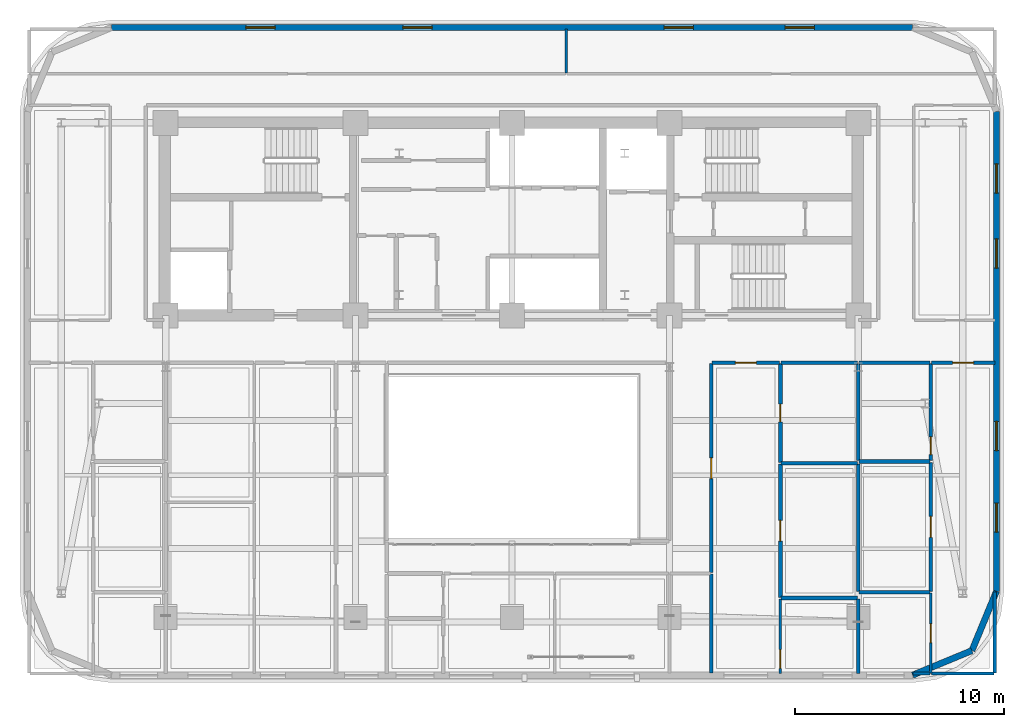
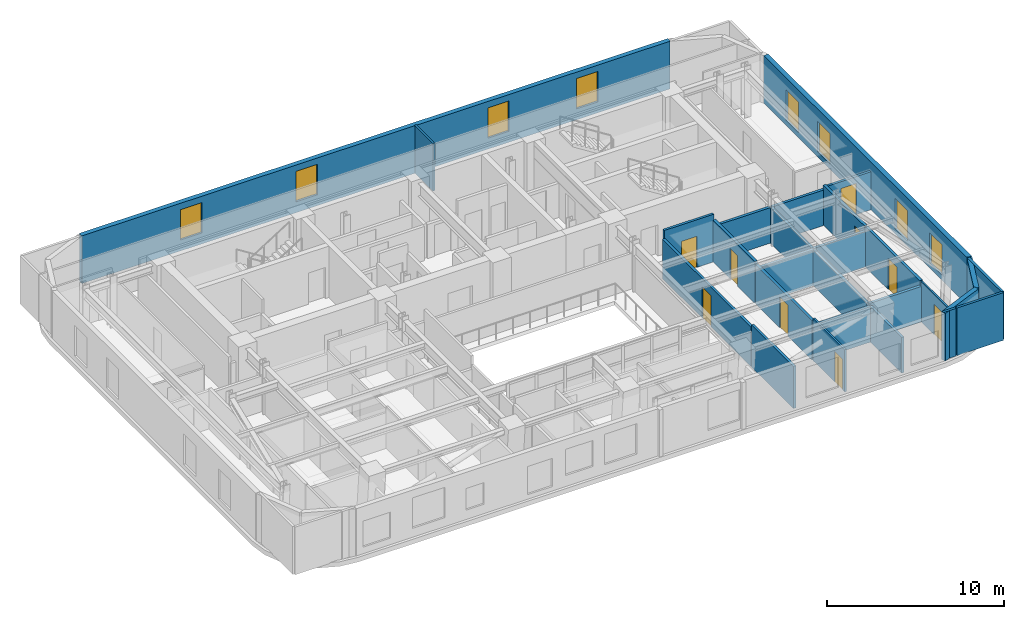
# One storey, part 9 of 13: 27 walls, 9 doors, 8 windows, 17 openings.
"""IFC4 building model written with IfcOpenShell, lengths in metres."""

from ifc_helpers import new_model, si_unit, direction, frame, frame_2d, origin, place, context, subcontext, project, spatial, rectangle, extrude, material, layer, layer_set, type_object, element, fill, save


model = new_model("IFC4")

# Units and contexts
model_context = context("Model", 3, precision=1e-05, world=origin(), true_north=direction((0.0, 1.0)))
body_context = subcontext(model_context, "Body", "Model", "MODEL_VIEW")
ifc_project = project(units=[si_unit("LENGTHUNIT", "METRE"), si_unit("AREAUNIT", "SQUARE_METRE"), si_unit("VOLUMEUNIT", "CUBIC_METRE"), si_unit("PLANEANGLEUNIT", "RADIAN"), si_unit("MASSUNIT", "GRAM", prefix="KILO")], contexts=[model_context])

# Site, building, storey
site_placement = place(None, origin())
site = spatial("IfcSite", under=ifc_project, at=site_placement, CompositionType="ELEMENT")
building_placement = place(site_placement, origin())
building = spatial("IfcBuilding", under=site, at=building_placement, Name="Zarnavel Station Tower", CompositionType="ELEMENT")
storey_placement = place(building_placement, frame((0.0, 0.0, 141.25)))
storey = spatial("IfcBuildingStorey", under=building, at=storey_placement, Name="L38", CompositionType="ELEMENT", Elevation=141.25)

# Walls
ifc_material_1 = material(Name="Precast concrete C45/55 (Dark Basalt Finish)", Category="masonry")
ifc_layer_1 = layer(ifc_material_1, 0.300048828125)
ifc_layer_set_1 = layer_set([ifc_layer_1], Name="EW_BASALT_300")
wall_type_1 = type_object("IfcWallType", Name="EW_BASALT_300", PredefinedType="SOLIDWALL", material=ifc_layer_set_1)
wall_1_placement = place(storey_placement, frame((50.842529296875, 11.75732421875, 0.0), z_axis=(0.0, 0.0, 1.0), x_axis=(-0.92389884758, -0.382636798336, 0.0)))
element("IfcWall", 1, at=wall_1_placement, inside=storey, type_object=wall_type_1, Name="L38 Exterior Basalt Masonry Frame Wall 01", PredefinedType="SOLIDWALL", context=body_context, shape_type="SweptSolid", body=[
    extrude(rectangle(XDim=3.07666015625, YDim=0.300048828125, at=frame_2d((1.538330078125, 0.0))), origin(), (0.0, 0.0, 1.0), 3.2900390625),
])
wall_2_placement = place(storey_placement, frame((52.02001953125, 14.60009765625, 0.0), z_axis=(0.0, 0.0, 1.0), x_axis=(-0.382676475685, -0.923882414032, 0.0)))
element("IfcWall", 2, at=wall_2_placement, inside=storey, type_object=wall_type_1, Name="L38 Exterior Basalt Masonry Frame Wall 02", PredefinedType="SOLIDWALL", context=body_context, shape_type="SweptSolid", body=[
    extrude(rectangle(XDim=3.076904296875, YDim=0.300048828125, at=frame_2d((1.53857421875, 0.0))), origin(), (0.0, 0.0, 1.0), 3.2900390625),
])

# Wall, openings, windows
wall_3_placement = place(storey_placement, frame((52.02001953125, 37.60009765625, 0.0), z_axis=(0.0, 0.0, 1.0), x_axis=(0.0, -1.0, 0.0)))
wall_3 = element("IfcWall", 3, at=wall_3_placement, inside=storey, type_object=wall_type_1, Name="L38 Exterior Basalt Masonry Frame Wall 03", PredefinedType="SOLIDWALL", context=body_context, shape_type="SweptSolid", body=[
    extrude(rectangle(XDim=23.0, YDim=0.300048828125, at=frame_2d((11.5, 0.0))), origin(), (0.0, 0.0, 1.0), 3.2900390625),
])
opening_1_placement = place(wall_3_placement, frame((2.51318359375, 0.0, 0.340087890625)))
opening_1 = element("IfcOpeningElement", 4, at=opening_1_placement, cuts=wall_3, Name="Opening WN04", PredefinedType="OPENING", context=body_context, shape_type="SweptSolid", body=[
    extrude(rectangle(XDim=1.39990234375, YDim=2.10009765625, at=frame_2d((0.699951171875, 1.050048828125))), frame((0.0, 0.159912109375, 0.0), z_axis=(0.0, -1.0, 0.0), x_axis=(1.0, 0.0, 0.0)), (0.0, 0.0, 1.0), 0.320068359375),
])
opening_2_placement = place(wall_3_placement, frame((6.106689453125, 0.0, 0.340087890625)))
opening_2 = element("IfcOpeningElement", 5, at=opening_2_placement, cuts=wall_3, Name="Opening WN04", PredefinedType="OPENING", context=body_context, shape_type="SweptSolid", body=[
    extrude(rectangle(XDim=1.39990234375, YDim=2.10009765625, at=frame_2d((0.699951171875, 1.050048828125))), frame((0.0, 0.159912109375, 0.0), z_axis=(0.0, -1.0, 0.0), x_axis=(1.0, 0.0, 0.0)), (0.0, 0.0, 1.0), 0.320068359375),
])
opening_3_placement = place(wall_3_placement, frame((14.860107421875, 0.0, 0.340087890625)))
opening_3 = element("IfcOpeningElement", 6, at=opening_3_placement, cuts=wall_3, Name="Opening WN04", PredefinedType="OPENING", context=body_context, shape_type="SweptSolid", body=[
    extrude(rectangle(XDim=1.39990234375, YDim=2.10009765625, at=frame_2d((0.699951171875, 1.050048828125))), frame((0.0, 0.159912109375, 0.0), z_axis=(0.0, -1.0, 0.0), x_axis=(1.0, 0.0, 0.0)), (0.0, 0.0, 1.0), 0.320068359375),
])
opening_4_placement = place(wall_3_placement, frame((18.77001953125, 0.0, 0.340087890625)))
opening_4 = element("IfcOpeningElement", 7, at=opening_4_placement, cuts=wall_3, Name="Opening WN04", PredefinedType="OPENING", context=body_context, shape_type="SweptSolid", body=[
    extrude(rectangle(XDim=1.39990234375, YDim=2.10009765625, at=frame_2d((0.699951171875, 1.050048828125))), frame((0.0, 0.159912109375, 0.0), z_axis=(0.0, -1.0, 0.0), x_axis=(1.0, 0.0, 0.0)), (0.0, 0.0, 1.0), 0.320068359375),
])
ifc_material_2 = material(Name="Thermally Broken Black Aluminium and Low-E Dark Glass", Category="aluminium")
window_type = type_object("IfcWindowType", Name="WN_1400x2100", PartitioningType="DOUBLE_PANEL_VERTICAL", PredefinedType="WINDOW", material=ifc_material_2)
window_1_placement = place(opening_1_placement, origin())
window_1 = element("IfcWindow", 8, at=window_1_placement, inside=storey, type_object=window_type, Name="L38 Recessed Facade Window 01", OverallHeight=2.10009765625, OverallWidth=1.39990234375, PartitioningType="SINGLE_PANEL", PredefinedType="WINDOW", context=body_context, shape_type="SweptSolid", body=[
    extrude(rectangle(XDim=1.39990234375, YDim=2.10009765625, at=frame_2d((0.699951171875, 1.050048828125))), frame((0.0, 0.030029296875, 0.0), z_axis=(0.0, -1.0, 0.0), x_axis=(1.0, 0.0, 0.0)), (0.0, 0.0, 1.0), 0.06005859375),
])
fill(opening_1, window_1)
window_2_placement = place(opening_2_placement, origin())
window_2 = element("IfcWindow", 9, at=window_2_placement, inside=storey, type_object=window_type, Name="L38 Recessed Facade Window 02", OverallHeight=2.10009765625, OverallWidth=1.39990234375, PartitioningType="SINGLE_PANEL", PredefinedType="WINDOW", context=body_context, shape_type="SweptSolid", body=[
    extrude(rectangle(XDim=1.39990234375, YDim=2.10009765625, at=frame_2d((0.699951171875, 1.050048828125))), frame((0.0, 0.030029296875, 0.0), z_axis=(0.0, -1.0, 0.0), x_axis=(1.0, 0.0, 0.0)), (0.0, 0.0, 1.0), 0.06005859375),
])
fill(opening_2, window_2)
window_3_placement = place(opening_3_placement, origin())
window_3 = element("IfcWindow", 10, at=window_3_placement, inside=storey, type_object=window_type, Name="L38 Recessed Facade Window 03", OverallHeight=2.10009765625, OverallWidth=1.39990234375, PartitioningType="SINGLE_PANEL", PredefinedType="WINDOW", context=body_context, shape_type="SweptSolid", body=[
    extrude(rectangle(XDim=1.39990234375, YDim=2.10009765625, at=frame_2d((0.699951171875, 1.050048828125))), frame((0.0, 0.030029296875, 0.0), z_axis=(0.0, -1.0, 0.0), x_axis=(1.0, 0.0, 0.0)), (0.0, 0.0, 1.0), 0.06005859375),
])
fill(opening_3, window_3)
window_4_placement = place(opening_4_placement, origin())
window_4 = element("IfcWindow", 11, at=window_4_placement, inside=storey, type_object=window_type, Name="L38 Recessed Facade Window 04", OverallHeight=2.10009765625, OverallWidth=1.39990234375, PartitioningType="SINGLE_PANEL", PredefinedType="WINDOW", context=body_context, shape_type="SweptSolid", body=[
    extrude(rectangle(XDim=1.39990234375, YDim=2.10009765625, at=frame_2d((0.699951171875, 1.050048828125))), frame((0.0, 0.030029296875, 0.0), z_axis=(0.0, -1.0, 0.0), x_axis=(1.0, 0.0, 0.0)), (0.0, 0.0, 1.0), 0.06005859375),
])
fill(opening_4, window_4)

wall_4_placement = place(storey_placement, frame((9.60009765625, 41.6201171875, 0.0), z_axis=(0.0, 0.0, 1.0), x_axis=(1.0, 0.0, 0.0)))
wall_4 = element("IfcWall", 12, at=wall_4_placement, inside=storey, type_object=wall_type_1, Name="L38 Exterior Basalt Masonry Frame Wall 06", PredefinedType="SOLIDWALL", context=body_context, shape_type="SweptSolid", body=[
    extrude(rectangle(XDim=38.39990234375, YDim=0.300048828125, at=frame_2d((19.199951171875, 0.0))), origin(), (0.0, 0.0, 1.0), 3.2900390625),
])
opening_5_placement = place(wall_4_placement, frame((6.44677734375, 0.0, 0.75)))
opening_5 = element("IfcOpeningElement", 13, at=opening_5_placement, cuts=wall_4, Name="Opening WN04", PredefinedType="OPENING", context=body_context, shape_type="SweptSolid", body=[
    extrude(rectangle(XDim=1.39990234375, YDim=2.10009765625, at=frame_2d((0.699951171875, 1.050048828125))), frame((0.0, 0.159912109375, 0.0), z_axis=(0.0, -1.0, 0.0), x_axis=(1.0, 0.0, 0.0)), (0.0, 0.0, 1.0), 0.320068359375),
])
opening_6_placement = place(wall_4_placement, frame((13.973388671875, 0.0, 0.75)))
opening_6 = element("IfcOpeningElement", 14, at=opening_6_placement, cuts=wall_4, Name="Opening WN04", PredefinedType="OPENING", context=body_context, shape_type="SweptSolid", body=[
    extrude(rectangle(XDim=1.39990234375, YDim=2.10009765625, at=frame_2d((0.699951171875, 1.050048828125))), frame((0.0, 0.159912109375, 0.0), z_axis=(0.0, -1.0, 0.0), x_axis=(1.0, 0.0, 0.0)), (0.0, 0.0, 1.0), 0.320068359375),
])
opening_7_placement = place(wall_4_placement, frame((26.493408203125, 0.0, 0.75)))
opening_7 = element("IfcOpeningElement", 15, at=opening_7_placement, cuts=wall_4, Name="Opening WN04", PredefinedType="OPENING", context=body_context, shape_type="SweptSolid", body=[
    extrude(rectangle(XDim=1.39990234375, YDim=2.10009765625, at=frame_2d((0.699951171875, 1.050048828125))), frame((0.0, 0.159912109375, 0.0), z_axis=(0.0, -1.0, 0.0), x_axis=(1.0, 0.0, 0.0)), (0.0, 0.0, 1.0), 0.320068359375),
])
opening_8_placement = place(wall_4_placement, frame((32.28662109375, 0.0, 0.75)))
opening_8 = element("IfcOpeningElement", 16, at=opening_8_placement, cuts=wall_4, Name="Opening WN04", PredefinedType="OPENING", context=body_context, shape_type="SweptSolid", body=[
    extrude(rectangle(XDim=1.39990234375, YDim=2.10009765625, at=frame_2d((0.699951171875, 1.050048828125))), frame((0.0, 0.159912109375, 0.0), z_axis=(0.0, -1.0, 0.0), x_axis=(1.0, 0.0, 0.0)), (0.0, 0.0, 1.0), 0.320068359375),
])
window_5_placement = place(opening_5_placement, origin())
window_5 = element("IfcWindow", 17, at=window_5_placement, inside=storey, type_object=window_type, Name="L38 Recessed Facade Window 01", OverallHeight=2.10009765625, OverallWidth=1.39990234375, PartitioningType="SINGLE_PANEL", PredefinedType="WINDOW", context=body_context, shape_type="SweptSolid", body=[
    extrude(rectangle(XDim=1.39990234375, YDim=2.10009765625, at=frame_2d((0.699951171875, 1.050048828125))), frame((0.0, 0.030029296875, 0.0), z_axis=(0.0, -1.0, 0.0), x_axis=(1.0, 0.0, 0.0)), (0.0, 0.0, 1.0), 0.06005859375),
])
fill(opening_5, window_5)
window_6_placement = place(opening_6_placement, origin())
window_6 = element("IfcWindow", 18, at=window_6_placement, inside=storey, type_object=window_type, Name="L38 Recessed Facade Window 02", OverallHeight=2.10009765625, OverallWidth=1.39990234375, PartitioningType="SINGLE_PANEL", PredefinedType="WINDOW", context=body_context, shape_type="SweptSolid", body=[
    extrude(rectangle(XDim=1.39990234375, YDim=2.10009765625, at=frame_2d((0.699951171875, 1.050048828125))), frame((0.0, 0.030029296875, 0.0), z_axis=(0.0, -1.0, 0.0), x_axis=(1.0, 0.0, 0.0)), (0.0, 0.0, 1.0), 0.06005859375),
])
fill(opening_6, window_6)
window_7_placement = place(opening_7_placement, origin())
window_7 = element("IfcWindow", 19, at=window_7_placement, inside=storey, type_object=window_type, Name="L38 Recessed Facade Window 03", OverallHeight=2.10009765625, OverallWidth=1.39990234375, PartitioningType="SINGLE_PANEL", PredefinedType="WINDOW", context=body_context, shape_type="SweptSolid", body=[
    extrude(rectangle(XDim=1.39990234375, YDim=2.10009765625, at=frame_2d((0.699951171875, 1.050048828125))), frame((0.0, 0.030029296875, 0.0), z_axis=(0.0, -1.0, 0.0), x_axis=(1.0, 0.0, 0.0)), (0.0, 0.0, 1.0), 0.06005859375),
])
fill(opening_7, window_7)
window_8_placement = place(opening_8_placement, origin())
window_8 = element("IfcWindow", 20, at=window_8_placement, inside=storey, type_object=window_type, Name="L38 Recessed Facade Window 04", OverallHeight=2.10009765625, OverallWidth=1.39990234375, PartitioningType="SINGLE_PANEL", PredefinedType="WINDOW", context=body_context, shape_type="SweptSolid", body=[
    extrude(rectangle(XDim=1.39990234375, YDim=2.10009765625, at=frame_2d((0.699951171875, 1.050048828125))), frame((0.0, 0.030029296875, 0.0), z_axis=(0.0, -1.0, 0.0), x_axis=(1.0, 0.0, 0.0)), (0.0, 0.0, 1.0), 0.06005859375),
])
fill(opening_8, window_8)

# Wall, opening, door
ifc_material_3 = material(Name="Gypsum Twin-Stud Acoustic Fire Partition", Category="concrete")
ifc_layer_2 = layer(ifc_material_3, 0.159912109375)
ifc_layer_set_2 = layer_set([ifc_layer_2], Name="PT_DEMISE_160")
wall_type_2 = type_object("IfcWallType", Name="PT_DEMISE_160", PredefinedType="PARTITIONING", material=ifc_layer_set_2)
wall_5_placement = place(storey_placement, frame((38.389892578125, 25.550048828125, 0.0), z_axis=(0.0, 0.0, 1.0), x_axis=(1.0, 0.0, 0.0)))
wall_5 = element("IfcWall", 21, at=wall_5_placement, inside=storey, type_object=wall_type_2, Name="L38 Partition COR-S-UE1LV", PredefinedType="PARTITIONING", context=body_context, shape_type="SweptSolid", body=[
    extrude(rectangle(XDim=3.233154296875, YDim=0.159912109375, at=frame_2d((1.61669921875, 0.0))), origin(), (0.0, 0.0, 1.0), 3.2900390625),
])
opening_9_placement = place(wall_5_placement, frame((1.116455078125, 0.0, 0.0)))
opening_9 = element("IfcOpeningElement", 22, at=opening_9_placement, cuts=wall_5, Name="Opening FD02", PredefinedType="OPENING", context=body_context, shape_type="SweptSolid", body=[
    extrude(rectangle(XDim=1.0, YDim=2.14990234375, at=frame_2d((0.5, 1.074951171875))), frame((0.0, 0.08984375, 0.0), z_axis=(0.0, -1.0, 0.0), x_axis=(1.0, 0.0, 0.0)), (0.0, 0.0, 1.0), 0.179931640625),
])
ifc_material_4 = material(Name="Painted Galvanised Steel and Hardwood Leaf", Category="steel")
door_type_1 = type_object("IfcDoorType", Name="ID_ENTRY_1000", OperationType="NOTDEFINED", PredefinedType="DOOR", material=ifc_material_4)
door_1_placement = place(opening_9_placement, origin())
door_1 = element("IfcDoor", 23, at=door_1_placement, inside=storey, type_object=door_type_1, Name="L38 Door COR-S-UE1LV", OperationType="SINGLE_SWING_LEFT", OverallHeight=2.14990234375, OverallWidth=1.0, PredefinedType="DOOR", context=body_context, shape_type="SweptSolid", body=[
    extrude(rectangle(XDim=1.0, YDim=2.14990234375, at=frame_2d((0.5, 1.074951171875))), frame((0.0, 0.02490234375, 0.0), z_axis=(0.0, -1.0, 0.0), x_axis=(1.0, 0.0, 0.0)), (0.0, 0.0, 1.0), 0.050048828125),
])
fill(opening_9, door_1)

wall_6_placement = place(storey_placement, frame((48.906005859375, 25.550048828125, 0.0), z_axis=(0.0, 0.0, 1.0), x_axis=(1.0, 0.0, 0.0)))
wall_6 = element("IfcWall", 24, at=wall_6_placement, inside=storey, type_object=wall_type_2, Name="L38 Partition COR-S-UE2LV", PredefinedType="PARTITIONING", context=body_context, shape_type="SweptSolid", body=[
    extrude(rectangle(XDim=3.033935546875, YDim=0.159912109375, at=frame_2d((1.51708984375, 0.0))), origin(), (0.0, 0.0, 1.0), 2.6201171875),
])
opening_10_placement = place(wall_6_placement, frame((1.01708984375, 0.0, 0.0)))
opening_10 = element("IfcOpeningElement", 25, at=opening_10_placement, cuts=wall_6, Name="Opening FD02", PredefinedType="OPENING", context=body_context, shape_type="SweptSolid", body=[
    extrude(rectangle(XDim=1.0, YDim=2.14990234375, at=frame_2d((0.5, 1.074951171875))), frame((0.0, 0.08984375, 0.0), z_axis=(0.0, -1.0, 0.0), x_axis=(1.0, 0.0, 0.0)), (0.0, 0.0, 1.0), 0.179931640625),
])
door_2_placement = place(opening_10_placement, origin())
door_2 = element("IfcDoor", 26, at=door_2_placement, inside=storey, type_object=door_type_1, Name="L38 Door COR-S-UE2LV", OperationType="SINGLE_SWING_RIGHT", OverallHeight=2.14990234375, OverallWidth=1.0, PredefinedType="DOOR", context=body_context, shape_type="SweptSolid", body=[
    extrude(rectangle(XDim=1.0, YDim=2.14990234375, at=frame_2d((0.5, 1.074951171875))), frame((0.0, 0.02490234375, 0.0), z_axis=(0.0, -1.0, 0.0), x_axis=(1.0, 0.0, 0.0)), (0.0, 0.0, 1.0), 0.050048828125),
])
fill(opening_10, door_2)

wall_7_placement = place(storey_placement, frame((38.35009765625, 15.489990234375, 0.0), z_axis=(0.0, 0.0, 1.0), x_axis=(0.0, 1.0, 0.0)))
wall_7 = element("IfcWall", 27, at=wall_7_placement, inside=storey, type_object=wall_type_2, Name="L38 Partition COR-AE-UE1LV", PredefinedType="PARTITIONING", context=body_context, shape_type="SweptSolid", body=[
    extrude(rectangle(XDim=10.02001953125, YDim=0.159912109375, at=frame_2d((5.010009765625, 0.0))), origin(), (0.0, 0.0, 1.0), 2.719970703125),
])
opening_11_placement = place(wall_7_placement, frame((4.510009765625, 0.0, 0.0)))
opening_11 = element("IfcOpeningElement", 28, at=opening_11_placement, cuts=wall_7, Name="Opening FD02", PredefinedType="OPENING", context=body_context, shape_type="SweptSolid", body=[
    extrude(rectangle(XDim=1.0, YDim=2.14990234375, at=frame_2d((0.5, 1.074951171875))), frame((0.0, 0.08984375, 0.0), z_axis=(0.0, -1.0, 0.0), x_axis=(1.0, 0.0, 0.0)), (0.0, 0.0, 1.0), 0.179931640625),
])
door_3_placement = place(opening_11_placement, origin())
door_3 = element("IfcDoor", 29, at=door_3_placement, inside=storey, type_object=door_type_1, Name="L38 Door COR-AE-UE1LV", OperationType="SINGLE_SWING_LEFT", OverallHeight=2.14990234375, OverallWidth=1.0, PredefinedType="DOOR", context=body_context, shape_type="SweptSolid", body=[
    extrude(rectangle(XDim=1.0, YDim=2.14990234375, at=frame_2d((0.5, 1.074951171875))), frame((0.0, 0.02490234375, 0.0), z_axis=(0.0, -1.0, 0.0), x_axis=(1.0, 0.0, 0.0)), (0.0, 0.0, 1.0), 0.050048828125),
])
fill(opening_11, door_3)

# Walls
wall_8_placement = place(storey_placement, frame((45.39990234375, 10.659912109375, 0.0), z_axis=(0.0, 0.0, 1.0), x_axis=(0.0, 1.0, 0.0)))
element("IfcWall", 30, at=wall_8_placement, inside=storey, type_object=wall_type_2, Name="L38 Partition UE1B1-UE2B1", PredefinedType="PARTITIONING", context=body_context, shape_type="SweptSolid", body=[
    extrude(rectangle(XDim=3.572998046875, YDim=0.159912109375, at=frame_2d((1.78662109375, 0.0))), origin(), (0.0, 0.0, 1.0), 2.4560546875),
])
wall_9_placement = place(storey_placement, frame((38.35009765625, 10.68994140625, 0.0), z_axis=(0.0, 0.0, 1.0), x_axis=(0.0, 1.0, 0.0)))
element("IfcWall", 31, at=wall_9_placement, inside=storey, type_object=wall_type_2, Name="L38 Enclosure Wall UE1LV", PredefinedType="PARTITIONING", context=body_context, shape_type="SweptSolid", body=[
    extrude(rectangle(XDim=4.72998046875, YDim=0.159912109375, at=frame_2d((2.364990234375, 0.0))), origin(), (0.0, 0.0, 1.0), 2.909912109375),
])
wall_10_placement = place(storey_placement, frame((48.89599609375, 10.659912109375, 0.0), z_axis=(0.0, 0.0, 1.0), x_axis=(1.0, 0.0, 0.0)))
element("IfcWall", 32, at=wall_10_placement, inside=storey, type_object=wall_type_2, Name="L38 Enclosure Wall UE2LV", PredefinedType="PARTITIONING", context=body_context, shape_type="SweptSolid", body=[
    extrude(rectangle(XDim=3.013916015625, YDim=0.159912109375, at=frame_2d((1.5068359375, 0.0))), origin(), (0.0, 0.0, 1.0), 3.2900390625),
])
wall_11_placement = place(storey_placement, frame((51.93994140625, 10.68994140625, 0.0), z_axis=(0.0, 0.0, 1.0), x_axis=(0.0, 1.0, 0.0)))
element("IfcWall", 33, at=wall_11_placement, inside=storey, type_object=wall_type_2, Name="L38 Enclosure Wall UE2LV", PredefinedType="PARTITIONING", context=body_context, shape_type="SweptSolid", body=[
    extrude(rectangle(XDim=3.880126953125, YDim=0.159912109375, at=frame_2d((1.93994140625, 0.0))), origin(), (0.0, 0.0, 1.0), 3.2900390625),
])
wall_12_placement = place(storey_placement, frame((48.030029296875, 10.659912109375, 0.0), z_axis=(0.0, 0.0, 1.0), x_axis=(1.0, 0.0, 0.0)))
element("IfcWall", 34, at=wall_12_placement, inside=storey, type_object=wall_type_2, Name="L38 Enclosure Wall UE2B1", PredefinedType="PARTITIONING", context=body_context, shape_type="SweptSolid", body=[
    extrude(rectangle(XDim=0.805908203125, YDim=0.159912109375, at=frame_2d((0.40283203125, 0.0))), origin(), (0.0, 0.0, 1.0), 3.2900390625),
])
ifc_material_5 = material(Name="Gypsum Metal-Stud Interior Partition", Category="concrete")
ifc_layer_3 = layer(ifc_material_5, 0.1201171875)
ifc_layer_set_3 = layer_set([ifc_layer_3], Name="PT_ROOM_120")
wall_type_3 = type_object("IfcWallType", Name="PT_ROOM_120", PredefinedType="PARTITIONING", material=ifc_layer_set_3)
wall_13_placement = place(storey_placement, frame((31.39990234375, 39.43994140625, 0.0), z_axis=(0.0, 0.0, 1.0), x_axis=(0.0, 1.0, 0.0)))
element("IfcWall", 35, at=wall_13_placement, inside=storey, type_object=wall_type_3, Name="L38 Partition NGYM-NBRD", PredefinedType="PARTITIONING", context=body_context, shape_type="SweptSolid", body=[
    extrude(rectangle(XDim=2.10009765625, YDim=0.1201171875, at=frame_2d((1.050048828125, 0.0))), origin(), (0.0, 0.0, 1.0), 3.2900390625),
])

# Wall, opening, door
wall_14_placement = place(storey_placement, frame((41.6630859375, 10.659912109375, 0.0), z_axis=(0.0, 0.0, 1.0), x_axis=(0.0, 1.0, 0.0)))
wall_14 = element("IfcWall", 36, at=wall_14_placement, inside=storey, type_object=wall_type_3, Name="L38 Partition UE1LV-UE1B1", PredefinedType="PARTITIONING", context=body_context, shape_type="SweptSolid", body=[
    extrude(rectangle(XDim=3.572998046875, YDim=0.1201171875, at=frame_2d((1.78662109375, 0.0))), origin(), (0.0, 0.0, 1.0), 2.909912109375),
])
opening_12_placement = place(wall_14_placement, frame((0.23974609375, 0.0, 0.0)))
opening_12 = element("IfcOpeningElement", 37, at=opening_12_placement, cuts=wall_14, Name="Opening ID01", PredefinedType="OPENING", context=body_context, shape_type="SweptSolid", body=[
    extrude(rectangle(XDim=0.89990234375, YDim=2.10009765625, at=frame_2d((0.449951171875, 1.050048828125))), frame((0.0, 0.070068359375, 0.0), z_axis=(0.0, -1.0, 0.0), x_axis=(1.0, 0.0, 0.0)), (0.0, 0.0, 1.0), 0.14013671875),
])
ifc_material_6 = material(Name="Painted Galvanised Steel and Hardwood Leaf", Category="steel")
door_type_2 = type_object("IfcDoorType", Name="ID_ROOM_900", OperationType="NOTDEFINED", PredefinedType="DOOR", material=ifc_material_6)
door_4_placement = place(opening_12_placement, origin())
door_4 = element("IfcDoor", 38, at=door_4_placement, inside=storey, type_object=door_type_2, Name="L38 Door UE1LV-UE1B1", OperationType="SINGLE_SWING_LEFT", OverallHeight=2.10009765625, OverallWidth=0.89990234375, PredefinedType="DOOR", context=body_context, shape_type="SweptSolid", body=[
    extrude(rectangle(XDim=0.89990234375, YDim=2.10009765625, at=frame_2d((0.449951171875, 1.050048828125))), frame((0.0, 0.02490234375, 0.0), z_axis=(0.0, -1.0, 0.0), x_axis=(1.0, 0.0, 0.0)), (0.0, 0.0, 1.0), 0.050048828125),
])
fill(opening_12, door_4)

wall_15_placement = place(storey_placement, frame((48.865966796875, 10.659912109375, 0.0), z_axis=(0.0, 0.0, 1.0), x_axis=(0.0, 1.0, 0.0)))
wall_15 = element("IfcWall", 39, at=wall_15_placement, inside=storey, type_object=wall_type_3, Name="L38 Partition UE2LV-UE2B1", PredefinedType="PARTITIONING", context=body_context, shape_type="SweptSolid", body=[
    extrude(rectangle(XDim=3.85498046875, YDim=0.1201171875, at=frame_2d((1.927490234375, 0.0))), origin(), (0.0, 0.0, 1.0), 2.77001953125),
])
opening_13_placement = place(wall_15_placement, frame((1.4775390625, 0.0, 0.0)))
opening_13 = element("IfcOpeningElement", 40, at=opening_13_placement, cuts=wall_15, Name="Opening ID01", PredefinedType="OPENING", context=body_context, shape_type="SweptSolid", body=[
    extrude(rectangle(XDim=0.89990234375, YDim=2.10009765625, at=frame_2d((0.449951171875, 1.050048828125))), frame((0.0, 0.070068359375, 0.0), z_axis=(0.0, -1.0, 0.0), x_axis=(1.0, 0.0, 0.0)), (0.0, 0.0, 1.0), 0.14013671875),
])
door_5_placement = place(opening_13_placement, origin())
door_5 = element("IfcDoor", 41, at=door_5_placement, inside=storey, type_object=door_type_2, Name="L38 Door UE2LV-UE2B1", OperationType="SINGLE_SWING_RIGHT", OverallHeight=2.10009765625, OverallWidth=0.89990234375, PredefinedType="DOOR", context=body_context, shape_type="SweptSolid", body=[
    extrude(rectangle(XDim=0.89990234375, YDim=2.10009765625, at=frame_2d((0.449951171875, 1.050048828125))), frame((0.0, 0.02490234375, 0.0), z_axis=(0.0, -1.0, 0.0), x_axis=(1.0, 0.0, 0.0)), (0.0, 0.0, 1.0), 0.050048828125),
])
fill(opening_13, door_5)

# Walls
ifc_material_7 = material(Name="Moisture-Resistant Plumbing Chase Wall", Category="concrete")
ifc_layer_4 = layer(ifc_material_7, 0.179931640625)
ifc_layer_set_4 = layer_set([ifc_layer_4], Name="PW_PLUMB_180")
wall_type_4 = type_object("IfcWallType", Name="PW_PLUMB_180", PredefinedType="PLUMBINGWALL", material=ifc_layer_set_4)
wall_16_placement = place(storey_placement, frame((41.702880859375, 25.550048828125, 0.0), z_axis=(0.0, 0.0, 1.0), x_axis=(1.0, 0.0, 0.0)))
element("IfcWall", 42, at=wall_16_placement, inside=storey, type_object=wall_type_4, Name="L38 Partition COR-S-UE1BA", PredefinedType="PLUMBINGWALL", context=body_context, shape_type="SweptSolid", body=[
    extrude(rectangle(XDim=3.6572265625, YDim=0.179931640625, at=frame_2d((1.82861328125, 0.0))), origin(), (0.0, 0.0, 1.0), 2.4560546875),
])
wall_17_placement = place(storey_placement, frame((45.43994140625, 25.550048828125, 0.0), z_axis=(0.0, 0.0, 1.0), x_axis=(1.0, 0.0, 0.0)))
element("IfcWall", 43, at=wall_17_placement, inside=storey, type_object=wall_type_4, Name="L38 Partition COR-S-UE2BA", PredefinedType="PLUMBINGWALL", context=body_context, shape_type="SweptSolid", body=[
    extrude(rectangle(XDim=3.385986328125, YDim=0.179931640625, at=frame_2d((1.69287109375, 0.0))), origin(), (0.0, 0.0, 1.0), 2.4560546875),
])

# Wall, opening, door
wall_18_placement = place(storey_placement, frame((41.6630859375, 14.31298828125, 0.0), z_axis=(0.0, 0.0, 1.0), x_axis=(0.0, 1.0, 0.0)))
wall_18 = element("IfcWall", 44, at=wall_18_placement, inside=storey, type_object=wall_type_4, Name="L38 Partition UE1LV-UE1KT", PredefinedType="PLUMBINGWALL", context=body_context, shape_type="SweptSolid", body=[
    extrude(rectangle(XDim=6.380126953125, YDim=0.179931640625, at=frame_2d((3.18994140625, 0.0))), origin(), (0.0, 0.0, 1.0), 2.719970703125),
])
opening_14_placement = place(wall_18_placement, frame((2.68994140625, 0.0, 0.0)))
opening_14 = element("IfcOpeningElement", 45, at=opening_14_placement, cuts=wall_18, Name="Opening FD02", PredefinedType="OPENING", context=body_context, shape_type="SweptSolid", body=[
    extrude(rectangle(XDim=1.0, YDim=2.14990234375, at=frame_2d((0.5, 1.074951171875))), frame((0.0, 0.099853515625, 0.0), z_axis=(0.0, -1.0, 0.0), x_axis=(1.0, 0.0, 0.0)), (0.0, 0.0, 1.0), 0.199951171875),
])
door_6_placement = place(opening_14_placement, origin())
door_6 = element("IfcDoor", 46, at=door_6_placement, inside=storey, type_object=door_type_1, Name="L38 Door UE1LV-UE1KT", OperationType="SINGLE_SWING_RIGHT", OverallHeight=2.14990234375, OverallWidth=1.0, PredefinedType="DOOR", context=body_context, shape_type="SweptSolid", body=[
    extrude(rectangle(XDim=1.0, YDim=2.14990234375, at=frame_2d((0.5, 1.074951171875))), frame((0.0, 0.02490234375, 0.0), z_axis=(0.0, -1.0, 0.0), x_axis=(1.0, 0.0, 0.0)), (0.0, 0.0, 1.0), 0.050048828125),
])
fill(opening_14, door_6)

wall_19_placement = place(storey_placement, frame((41.6630859375, 20.77294921875, 0.0), z_axis=(0.0, 0.0, 1.0), x_axis=(0.0, 1.0, 0.0)))
wall_19 = element("IfcWall", 47, at=wall_19_placement, inside=storey, type_object=wall_type_4, Name="L38 Partition UE1LV-UE1BA", PredefinedType="PLUMBINGWALL", context=body_context, shape_type="SweptSolid", body=[
    extrude(rectangle(XDim=4.737060546875, YDim=0.179931640625, at=frame_2d((2.36865234375, 0.0))), origin(), (0.0, 0.0, 1.0), 2.8798828125),
])
opening_15_placement = place(wall_19_placement, frame((1.943603515625, 0.0, 0.0)))
opening_15 = element("IfcOpeningElement", 48, at=opening_15_placement, cuts=wall_19, Name="Opening ID02", PredefinedType="OPENING", context=body_context, shape_type="SweptSolid", body=[
    extrude(rectangle(XDim=0.85009765625, YDim=2.10009765625, at=frame_2d((0.425048828125, 1.050048828125))), frame((0.0, 0.099853515625, 0.0), z_axis=(0.0, -1.0, 0.0), x_axis=(1.0, 0.0, 0.0)), (0.0, 0.0, 1.0), 0.199951171875),
])
ifc_material_8 = material(Name="Painted Galvanised Steel and Hardwood Leaf", Category="steel")
door_type_3 = type_object("IfcDoorType", Name="ID_BATH_850", OperationType="NOTDEFINED", PredefinedType="DOOR", material=ifc_material_8)
door_7_placement = place(opening_15_placement, origin())
door_7 = element("IfcDoor", 49, at=door_7_placement, inside=storey, type_object=door_type_3, Name="L38 Door UE1LV-UE1BA", OperationType="SINGLE_SWING_LEFT", OverallHeight=2.10009765625, OverallWidth=0.85009765625, PredefinedType="DOOR", context=body_context, shape_type="SweptSolid", body=[
    extrude(rectangle(XDim=0.85009765625, YDim=2.10009765625, at=frame_2d((0.425048828125, 1.050048828125))), frame((0.0, 0.02490234375, 0.0), z_axis=(0.0, -1.0, 0.0), x_axis=(1.0, 0.0, 0.0)), (0.0, 0.0, 1.0), 0.050048828125),
])
fill(opening_15, door_7)

# Walls
for number, where, z_axis, x_axis, name in (
    (50, (41.702880859375, 14.27294921875, 0.0), (0.0, 0.0, 1.0), (1.0, 0.0, 0.0), "L38 Partition UE1B1-UE1KT"),
    (51, (41.702880859375, 20.73291015625, 0.0), (0.0, 0.0, 1.0), (1.0, 0.0, 0.0), "L38 Partition UE1KT-UE1BA"),
):
    element("IfcWall", number, at=place(storey_placement, frame(where, z_axis=z_axis, x_axis=x_axis)), inside=storey, type_object=wall_type_4, Name=name, PredefinedType="PLUMBINGWALL", context=body_context, shape_type="SweptSolid", body=[
        extrude(rectangle(XDim=3.6572265625, YDim=0.179931640625, at=frame_2d((1.82861328125, 0.0))), origin(), (0.0, 0.0, 1.0), 2.4560546875),
    ])
wall_20_placement = place(storey_placement, frame((45.39990234375, 14.594970703125, 0.0), z_axis=(0.0, 0.0, 1.0), x_axis=(0.0, 1.0, 0.0)))
element("IfcWall", 52, at=wall_20_placement, inside=storey, type_object=wall_type_4, Name="L38 Partition UE1KT-UE2KT", PredefinedType="PLUMBINGWALL", context=body_context, shape_type="SweptSolid", body=[
    extrude(rectangle(XDim=6.09814453125, YDim=0.179931640625, at=frame_2d((3.049072265625, 0.0))), origin(), (0.0, 0.0, 1.0), 2.4560546875),
])
wall_21_placement = place(storey_placement, frame((45.39990234375, 20.862060546875, 0.0), z_axis=(0.0, 0.0, 1.0), x_axis=(0.0, 1.0, 0.0)))
element("IfcWall", 53, at=wall_21_placement, inside=storey, type_object=wall_type_4, Name="L38 Partition UE1BA-UE2BA", PredefinedType="PLUMBINGWALL", context=body_context, shape_type="SweptSolid", body=[
    extrude(rectangle(XDim=4.64794921875, YDim=0.179931640625, at=frame_2d((2.323974609375, 0.0))), origin(), (0.0, 0.0, 1.0), 2.4560546875),
])

# Wall, opening, door
wall_22_placement = place(storey_placement, frame((48.865966796875, 14.594970703125, 0.0), z_axis=(0.0, 0.0, 1.0), x_axis=(0.0, 1.0, 0.0)))
wall_22 = element("IfcWall", 54, at=wall_22_placement, inside=storey, type_object=wall_type_4, Name="L38 Partition UE2LV-UE2KT", PredefinedType="PLUMBINGWALL", context=body_context, shape_type="SweptSolid", body=[
    extrude(rectangle(XDim=6.18701171875, YDim=0.179931640625, at=frame_2d((3.093505859375, 0.0))), origin(), (0.0, 0.0, 1.0), 2.77001953125),
])
opening_16_placement = place(wall_22_placement, frame((2.593505859375, 0.0, 0.0)))
opening_16 = element("IfcOpeningElement", 55, at=opening_16_placement, cuts=wall_22, Name="Opening FD02", PredefinedType="OPENING", context=body_context, shape_type="SweptSolid", body=[
    extrude(rectangle(XDim=1.0, YDim=2.14990234375, at=frame_2d((0.5, 1.074951171875))), frame((0.0, 0.099853515625, 0.0), z_axis=(0.0, -1.0, 0.0), x_axis=(1.0, 0.0, 0.0)), (0.0, 0.0, 1.0), 0.199951171875),
])
door_8_placement = place(opening_16_placement, origin())
door_8 = element("IfcDoor", 56, at=door_8_placement, inside=storey, type_object=door_type_1, Name="L38 Door UE2LV-UE2KT", OperationType="SINGLE_SWING_LEFT", OverallHeight=2.14990234375, OverallWidth=1.0, PredefinedType="DOOR", context=body_context, shape_type="SweptSolid", body=[
    extrude(rectangle(XDim=1.0, YDim=2.14990234375, at=frame_2d((0.5, 1.074951171875))), frame((0.0, 0.02490234375, 0.0), z_axis=(0.0, -1.0, 0.0), x_axis=(1.0, 0.0, 0.0)), (0.0, 0.0, 1.0), 0.050048828125),
])
fill(opening_16, door_8)

wall_23_placement = place(storey_placement, frame((48.865966796875, 20.862060546875, 0.0), z_axis=(0.0, 0.0, 1.0), x_axis=(0.0, 1.0, 0.0)))
wall_23 = element("IfcWall", 57, at=wall_23_placement, inside=storey, type_object=wall_type_4, Name="L38 Partition UE2LV-UE2BA", PredefinedType="PLUMBINGWALL", context=body_context, shape_type="SweptSolid", body=[
    extrude(rectangle(XDim=4.64794921875, YDim=0.179931640625, at=frame_2d((2.323974609375, 0.0))), origin(), (0.0, 0.0, 1.0), 2.77001953125),
])
opening_17_placement = place(wall_23_placement, frame((0.28662109375, 0.0, 0.0)))
opening_17 = element("IfcOpeningElement", 58, at=opening_17_placement, cuts=wall_23, Name="Opening ID02", PredefinedType="OPENING", context=body_context, shape_type="SweptSolid", body=[
    extrude(rectangle(XDim=0.85009765625, YDim=2.10009765625, at=frame_2d((0.425048828125, 1.050048828125))), frame((0.0, 0.099853515625, 0.0), z_axis=(0.0, -1.0, 0.0), x_axis=(1.0, 0.0, 0.0)), (0.0, 0.0, 1.0), 0.199951171875),
])
door_9_placement = place(opening_17_placement, origin())
door_9 = element("IfcDoor", 59, at=door_9_placement, inside=storey, type_object=door_type_3, Name="L38 Door UE2LV-UE2BA", OperationType="SINGLE_SWING_RIGHT", OverallHeight=2.10009765625, OverallWidth=0.85009765625, PredefinedType="DOOR", context=body_context, shape_type="SweptSolid", body=[
    extrude(rectangle(XDim=0.85009765625, YDim=2.10009765625, at=frame_2d((0.425048828125, 1.050048828125))), frame((0.0, 0.02490234375, 0.0), z_axis=(0.0, -1.0, 0.0), x_axis=(1.0, 0.0, 0.0)), (0.0, 0.0, 1.0), 0.050048828125),
])
fill(opening_17, door_9)

# Walls
for number, where, z_axis, x_axis, name in (
    (60, (45.43994140625, 14.554931640625, 0.0), (0.0, 0.0, 1.0), (1.0, 0.0, 0.0), "L38 Partition UE2B1-UE2KT"),
    (61, (45.43994140625, 20.822021484375, 0.0), (0.0, 0.0, 1.0), (1.0, 0.0, 0.0), "L38 Partition UE2KT-UE2BA"),
):
    element("IfcWall", number, at=place(storey_placement, frame(where, z_axis=z_axis, x_axis=x_axis)), inside=storey, type_object=wall_type_4, Name=name, PredefinedType="PLUMBINGWALL", context=body_context, shape_type="SweptSolid", body=[
        extrude(rectangle(XDim=3.385986328125, YDim=0.179931640625, at=frame_2d((1.69287109375, 0.0))), origin(), (0.0, 0.0, 1.0), 2.4560546875),
    ])

save(model, "model.ifc")
